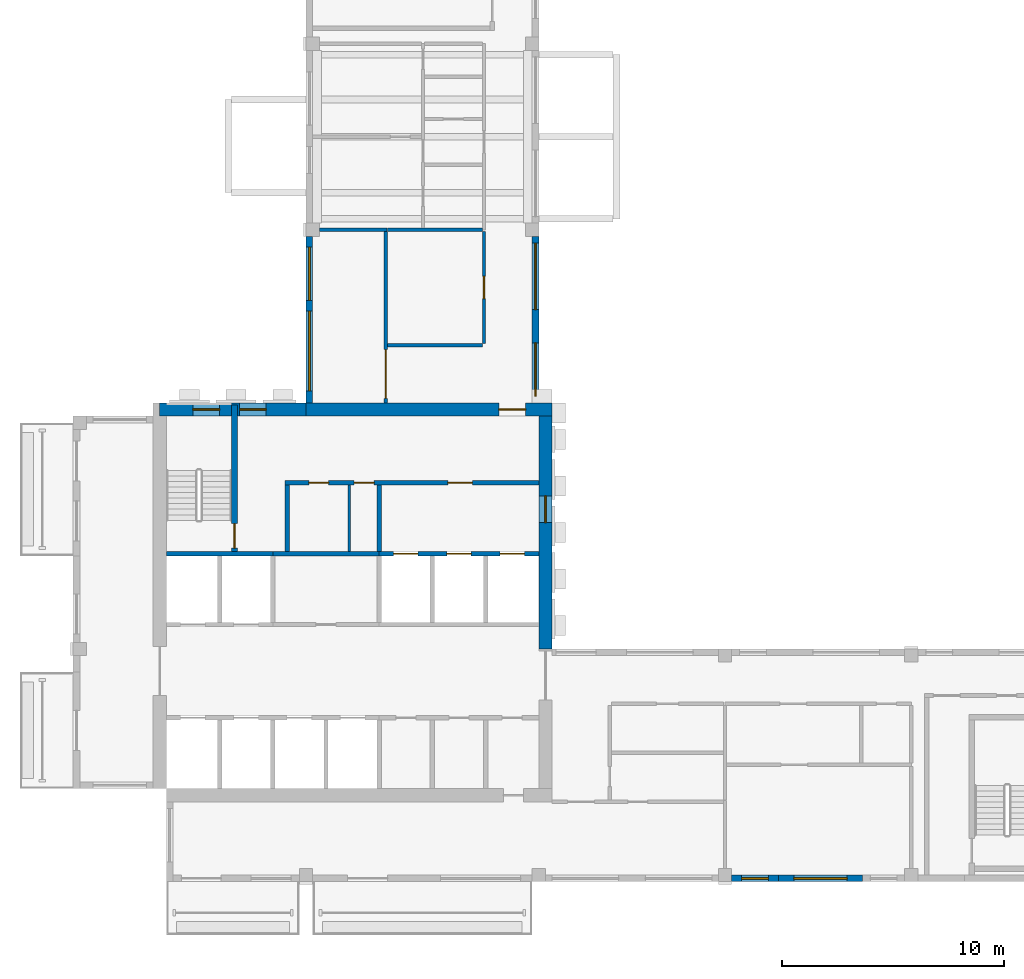
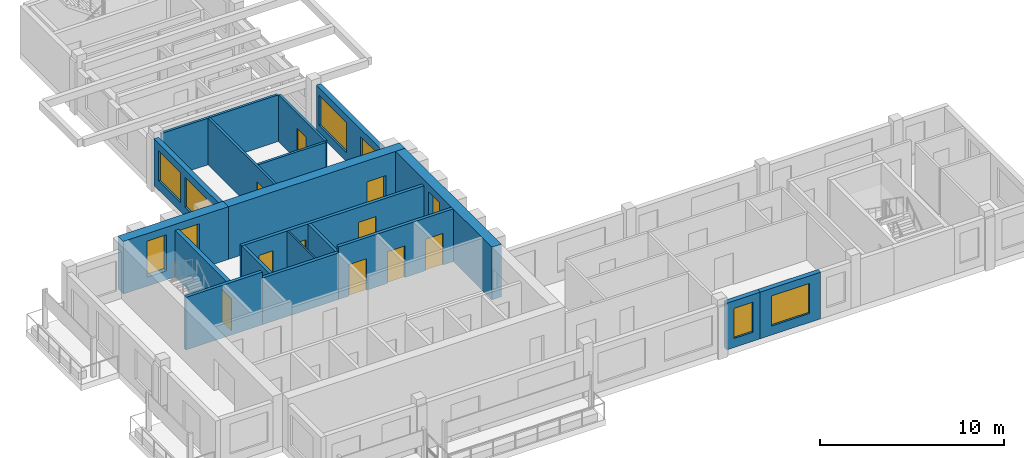
# One storey, part 3 of 10: 20 walls, 10 doors, 9 windows, 19 openings.
"""IFC4 building model written with IfcOpenShell, lengths in metres."""

from ifc_helpers import new_model, si_unit, direction, frame, frame_2d, origin, place, context, subcontext, project, spatial, rectangle, extrude, source, transform, mapped, material, layer, layer_set, type_object, element, fill, save


model = new_model("IFC4")

# Units and contexts
model_context = context("Model", 3, precision=1e-05, world=origin(), true_north=direction((0.0, 1.0)))
body_context = subcontext(model_context, "Body", "Model", "MODEL_VIEW")
ifc_project = project(units=[si_unit("LENGTHUNIT", "METRE"), si_unit("AREAUNIT", "SQUARE_METRE"), si_unit("VOLUMEUNIT", "CUBIC_METRE"), si_unit("PLANEANGLEUNIT", "RADIAN"), si_unit("MASSUNIT", "GRAM", prefix="KILO")], contexts=[model_context])

# Site, building, storey
site_placement = place(None, origin())
site = spatial("IfcSite", under=ifc_project, at=site_placement, CompositionType="ELEMENT")
building_placement = place(site_placement, origin())
building = spatial("IfcBuilding", under=site, at=building_placement, Name="Aurelian Terraces", CompositionType="ELEMENT")
storey_placement = place(building_placement, frame((0.0, 0.0, 326.5)))
storey = spatial("IfcBuildingStorey", under=building, at=storey_placement, Name="L76", CompositionType="ELEMENT", Elevation=326.5)

# Wall, opening, window
ifc_material_1 = material(Name="Terracotta rainscreen cladding", Category="masonry")
ifc_layer_1 = layer(ifc_material_1, 0.3)
ifc_layer_set_1 = layer_set([ifc_layer_1], Name="EW-300")
wall_type_1 = type_object("IfcWallType", Name="EW-300", PredefinedType="STANDARD", material=ifc_layer_set_1)
wall_1_placement = place(storey_placement, frame((29.7, 0.15, 0.0), z_axis=(0.0, 0.0, 1.0), x_axis=(1.0, 0.0, 0.0)))
wall_1 = element("IfcWall", 1, at=wall_1_placement, inside=storey, type_object=wall_type_1, Name="External wall L76 F01.4", PredefinedType="STANDARD", context=body_context, shape_type="SweptSolid", body=[
    extrude(rectangle(XDim=2.1, YDim=0.3, at=frame_2d((1.05, 0.0))), origin(), (0.0, 0.0, 1.0), 3.1),
])
shared_shape_1 = source(origin(), body_context, "Body", "SweptSolid", [
    extrude(rectangle(XDim=1.2, YDim=2.0, at=frame_2d((0.6, 1.0))), frame((0.0, 0.16, 0.0), z_axis=(0.0, -1.0, 0.0), x_axis=(1.0, 0.0, 0.0)), (0.0, 0.0, 1.0), 0.32),
])
opening_1_placement = place(wall_1_placement, frame((0.45, 0.0, 0.6)))
opening_1 = element("IfcOpeningElement", 2, at=opening_1_placement, cuts=wall_1, Name="Opening W1220", PredefinedType="OPENING", context=body_context, shape_type="MappedRepresentation", body=[
    mapped(shared_shape_1, transform((0.0, 0.0, 0.0), scale=1.0)),
])
ifc_material_2 = material(Name="Clear glazing", Category="glass")
window_type_1 = type_object("IfcWindowType", Name="W-1200x2000", PartitioningType="SINGLE_PANEL", PredefinedType="WINDOW", material=ifc_material_2)
shared_shape_2 = source(origin(), body_context, "Body", "SweptSolid", [
    extrude(rectangle(XDim=1.2, YDim=2.0, at=frame_2d((0.6, 1.0))), frame((0.0, 0.03, 0.0), z_axis=(0.0, -1.0, 0.0), x_axis=(1.0, 0.0, 0.0)), (0.0, 0.0, 1.0), 0.06),
])
window_1_placement = place(opening_1_placement, origin())
window_1 = element("IfcWindow", 3, at=window_1_placement, inside=storey, type_object=window_type_1, Name="Window L76 L76-F01-04-P0", OverallHeight=2.0, OverallWidth=1.2, PartitioningType="SINGLE_PANEL", PredefinedType="WINDOW", context=body_context, shape_type="MappedRepresentation", body=[
    mapped(shared_shape_2, transform((0.0, 0.0, 0.0), scale=1.0)),
])
fill(opening_1, window_1)

# Wall, opening, door
ifc_material_3 = material(Name="Concrete fc' 55 MPa", Category="concrete")
ifc_layer_2 = layer(ifc_material_3, 0.6)
ifc_layer_set_2 = layer_set([ifc_layer_2], Name="CORE WALL 600 FC55")
wall_type_2 = type_object("IfcWallType", Name="CORE WALL 600 FC55", PredefinedType="SHEAR", material=ifc_layer_set_2)
shared_shape_3 = source(origin(), body_context, "Body", "SweptSolid", [
    extrude(rectangle(XDim=11.1, YDim=0.6, at=frame_2d((5.55, 0.0))), origin(), (0.0, 0.0, 1.0), 3.5),
])
wall_2_placement = place(storey_placement, frame((10.5, 21.3, 0.0), z_axis=(0.0, 0.0, 1.0), x_axis=(1.0, 0.0, 0.0)))
wall_2 = element("IfcWall", 4, at=wall_2_placement, inside=storey, type_object=wall_type_2, Name="Core wall N L76", PredefinedType="SHEAR", context=body_context, shape_type="MappedRepresentation", body=[
    mapped(shared_shape_3, transform((0.0, 0.0, 0.0), scale=1.0)),
])
shared_shape_4 = source(origin(), body_context, "Body", "SweptSolid", [
    extrude(rectangle(XDim=1.2, YDim=2.1, at=frame_2d((0.6, 1.05))), frame((0.0, 0.31, 0.0), z_axis=(0.0, -1.0, 0.0), x_axis=(1.0, 0.0, 0.0)), (0.0, 0.0, 1.0), 0.62),
])
opening_2_placement = place(wall_2_placement, frame((8.7, 0.0, 0.0)))
opening_2 = element("IfcOpeningElement", 5, at=opening_2_placement, cuts=wall_2, Name="Opening 67925", PredefinedType="OPENING", context=body_context, shape_type="MappedRepresentation", body=[
    mapped(shared_shape_4, transform((0.0, 0.0, 0.0), scale=1.0)),
])
ifc_material_4 = material(Name="Steel door leaf", Category="steel")
door_type_1 = type_object("IfcDoorType", Name="Core fire door 1200x2100 right", OperationType="SINGLE_SWING_RIGHT", PredefinedType="DOOR", material=ifc_material_4)
shared_shape_5 = source(origin(), body_context, "Body", "SweptSolid", [
    extrude(rectangle(XDim=1.2, YDim=2.1, at=frame_2d((0.6, 1.05))), frame((0.0, 0.025, 0.0), z_axis=(0.0, -1.0, 0.0), x_axis=(1.0, 0.0, 0.0)), (0.0, 0.0, 1.0), 0.05),
])
door_1_placement = place(opening_2_placement, origin())
door_1 = element("IfcDoor", 6, at=door_1_placement, inside=storey, type_object=door_type_1, Name="Core door 67925", OperationType="SINGLE_SWING_RIGHT", OverallHeight=2.1, OverallWidth=1.2, PredefinedType="DOOR", context=body_context, shape_type="MappedRepresentation", body=[
    mapped(shared_shape_5, transform((0.0, 0.0, 0.0), scale=1.0)),
])
fill(opening_2, door_1)

# Wall, opening, window
shared_shape_6 = source(origin(), body_context, "Body", "SweptSolid", [
    extrude(rectangle(XDim=10.5, YDim=0.6, at=frame_2d((5.25, 0.0))), origin(), (0.0, 0.0, 1.0), 3.5),
])
wall_3_placement = place(storey_placement, frame((21.3, 10.5, 0.0), z_axis=(0.0, 0.0, 1.0), x_axis=(0.0, 1.0, 0.0)))
wall_3 = element("IfcWall", 7, at=wall_3_placement, inside=storey, type_object=wall_type_2, Name="Core wall E L76 exposed", PredefinedType="SHEAR", context=body_context, shape_type="MappedRepresentation", body=[
    mapped(shared_shape_6, transform((0.0, 0.0, 0.0), scale=1.0)),
])
shared_shape_7 = source(origin(), body_context, "Body", "SweptSolid", [
    extrude(rectangle(XDim=1.2, YDim=2.4, at=frame_2d((0.6, 1.2))), frame((0.0, 0.31, 0.0), z_axis=(0.0, -1.0, 0.0), x_axis=(1.0, 0.0, 0.0)), (0.0, 0.0, 1.0), 0.62),
])
opening_3_placement = place(wall_3_placement, frame((5.7, 0.0, 0.6)))
opening_3 = element("IfcOpeningElement", 8, at=opening_3_placement, cuts=wall_3, Name="Opening W-CL", PredefinedType="OPENING", context=body_context, shape_type="MappedRepresentation", body=[
    mapped(shared_shape_7, transform((0.0, 0.0, 0.0), scale=1.0)),
])
ifc_material_5 = material(Name="Fire-resisting glazing", Category="glass")
window_type_2 = type_object("IfcWindowType", Name="Core lobby window 1200x2400", PartitioningType="SINGLE_PANEL", PredefinedType="WINDOW", material=ifc_material_5)
shared_shape_8 = source(origin(), body_context, "Body", "SweptSolid", [
    extrude(rectangle(XDim=1.2, YDim=2.4, at=frame_2d((0.6, 1.2))), frame((0.0, 0.03, 0.0), z_axis=(0.0, -1.0, 0.0), x_axis=(1.0, 0.0, 0.0)), (0.0, 0.0, 1.0), 0.06),
])
window_2_placement = place(opening_3_placement, origin())
window_2 = element("IfcWindow", 9, at=window_2_placement, inside=storey, type_object=window_type_2, Name="Lobby window L76 E37", OverallHeight=2.4, OverallWidth=1.2, PartitioningType="SINGLE_PANEL", PredefinedType="WINDOW", context=body_context, shape_type="MappedRepresentation", body=[
    mapped(shared_shape_8, transform((0.0, 0.0, 0.0), scale=1.0)),
])
fill(opening_3, window_2)

# Wall, openings, windows
shared_shape_9 = source(origin(), body_context, "Body", "SweptSolid", [
    extrude(rectangle(XDim=6.6, YDim=0.6, at=frame_2d((3.3, 0.0))), origin(), (0.0, 0.0, 1.0), 3.5),
])
wall_4_placement = place(storey_placement, frame((3.9, 21.3, 0.0), z_axis=(0.0, 0.0, 1.0), x_axis=(1.0, 0.0, 0.0)))
wall_4 = element("IfcWall", 10, at=wall_4_placement, inside=storey, type_object=wall_type_2, Name="Core wall N L76 exposed", PredefinedType="SHEAR", context=body_context, shape_type="MappedRepresentation", body=[
    mapped(shared_shape_9, transform((0.0, 0.0, 0.0), scale=1.0)),
])
opening_4_placement = place(wall_4_placement, frame((1.5, 0.0, 0.6)))
opening_4 = element("IfcOpeningElement", 11, at=opening_4_placement, cuts=wall_4, Name="Opening W-CL", PredefinedType="OPENING", context=body_context, shape_type="MappedRepresentation", body=[
    mapped(shared_shape_7, transform((0.0, 0.0, 0.0), scale=1.0)),
])
opening_5_placement = place(wall_4_placement, frame((3.6, 0.0, 0.6)))
opening_5 = element("IfcOpeningElement", 12, at=opening_5_placement, cuts=wall_4, Name="Opening W-CL", PredefinedType="OPENING", context=body_context, shape_type="MappedRepresentation", body=[
    mapped(shared_shape_7, transform((0.0, 0.0, 0.0), scale=1.0)),
])
window_3_placement = place(opening_4_placement, origin())
window_3 = element("IfcWindow", 13, at=window_3_placement, inside=storey, type_object=window_type_2, Name="Lobby window L76 N38", OverallHeight=2.4, OverallWidth=1.2, PartitioningType="SINGLE_PANEL", PredefinedType="WINDOW", context=body_context, shape_type="MappedRepresentation", body=[
    mapped(shared_shape_8, transform((0.0, 0.0, 0.0), scale=1.0)),
])
fill(opening_4, window_3)
window_4_placement = place(opening_5_placement, origin())
window_4 = element("IfcWindow", 14, at=window_4_placement, inside=storey, type_object=window_type_2, Name="Lobby window L76 N39", OverallHeight=2.4, OverallWidth=1.2, PartitioningType="SINGLE_PANEL", PredefinedType="WINDOW", context=body_context, shape_type="MappedRepresentation", body=[
    mapped(shared_shape_8, transform((0.0, 0.0, 0.0), scale=1.0)),
])
fill(opening_5, window_4)

# Wall, opening, window
ifc_material_6 = material(Name="Concrete fc' 40 MPa", Category="concrete")
ifc_layer_3 = layer(ifc_material_6, 0.3)
ifc_layer_set_3 = layer_set([ifc_layer_3], Name="STAIR BAY WALL 300")
wall_type_3 = type_object("IfcWallType", Name="STAIR BAY WALL 300", PredefinedType="SOLIDWALL", material=ifc_layer_set_3)
shared_shape_10 = source(origin(), body_context, "Body", "SweptSolid", [
    extrude(rectangle(XDim=3.8, YDim=0.3, at=frame_2d((1.9, 0.0))), origin(), (0.0, 0.0, 1.0), 3.1),
])
wall_5_placement = place(storey_placement, frame((31.8, 0.15, 0.0), z_axis=(0.0, 0.0, 1.0), x_axis=(1.0, 0.0, 0.0)))
wall_5 = element("IfcWall", 15, at=wall_5_placement, inside=storey, type_object=wall_type_3, Name="Bearing wall L76 F01.4", PredefinedType="SOLIDWALL", context=body_context, shape_type="MappedRepresentation", body=[
    mapped(shared_shape_10, transform((0.0, 0.0, 0.0), scale=1.0)),
])
shared_shape_11 = source(origin(), body_context, "Body", "SweptSolid", [
    extrude(rectangle(XDim=2.4, YDim=2.0, at=frame_2d((1.2, 1.0))), frame((0.0, 0.16, 0.0), z_axis=(0.0, -1.0, 0.0), x_axis=(1.0, 0.0, 0.0)), (0.0, 0.0, 1.0), 0.32),
])
opening_6_placement = place(wall_5_placement, frame((0.7, 0.0, 0.6)))
opening_6 = element("IfcOpeningElement", 16, at=opening_6_placement, cuts=wall_5, Name="Opening W2420", PredefinedType="OPENING", context=body_context, shape_type="MappedRepresentation", body=[
    mapped(shared_shape_11, transform((0.0, 0.0, 0.0), scale=1.0)),
])
window_type_3 = type_object("IfcWindowType", Name="W-2400x2000", PartitioningType="SINGLE_PANEL", PredefinedType="WINDOW", material=ifc_material_2)
shared_shape_12 = source(origin(), body_context, "Body", "SweptSolid", [
    extrude(rectangle(XDim=2.4, YDim=2.0, at=frame_2d((1.2, 1.0))), frame((0.0, 0.03, 0.0), z_axis=(0.0, -1.0, 0.0), x_axis=(1.0, 0.0, 0.0)), (0.0, 0.0, 1.0), 0.06),
])
window_5_placement = place(opening_6_placement, origin())
window_5 = element("IfcWindow", 17, at=window_5_placement, inside=storey, type_object=window_type_3, Name="Window L76 L76-F01-04-P1", OverallHeight=2.0, OverallWidth=2.4, PartitioningType="SINGLE_PANEL", PredefinedType="WINDOW", context=body_context, shape_type="MappedRepresentation", body=[
    mapped(shared_shape_12, transform((0.0, 0.0, 0.0), scale=1.0)),
])
fill(opening_6, window_5)

# Wall, openings, windows
shared_shape_13 = source(origin(), body_context, "Body", "SweptSolid", [
    extrude(rectangle(XDim=7.5, YDim=0.3, at=frame_2d((3.75, 0.0))), origin(), (0.0, 0.0, 1.0), 3.1),
])
wall_6_placement = place(storey_placement, frame((20.85, 21.6, 0.0), z_axis=(0.0, 0.0, 1.0), x_axis=(0.0, 1.0, 0.0)))
wall_6 = element("IfcWall", 18, at=wall_6_placement, inside=storey, type_object=wall_type_1, Name="External wall L76 F04.10", PredefinedType="STANDARD", context=body_context, shape_type="MappedRepresentation", body=[
    mapped(shared_shape_13, transform((0.0, 0.0, 0.0), scale=1.0)),
])
opening_7_placement = place(wall_6_placement, frame((0.3, 0.0, 0.6)))
opening_7 = element("IfcOpeningElement", 19, at=opening_7_placement, cuts=wall_6, Name="Opening W2420", PredefinedType="OPENING", context=body_context, shape_type="MappedRepresentation", body=[
    mapped(shared_shape_11, transform((0.0, 0.0, 0.0), scale=1.0)),
])
shared_shape_14 = source(origin(), body_context, "Body", "SweptSolid", [
    extrude(rectangle(XDim=3.0, YDim=2.0, at=frame_2d((1.5, 1.0))), frame((0.0, 0.16, 0.0), z_axis=(0.0, -1.0, 0.0), x_axis=(1.0, 0.0, 0.0)), (0.0, 0.0, 1.0), 0.32),
])
opening_8_placement = place(wall_6_placement, frame((4.2, 0.0, 0.6)))
opening_8 = element("IfcOpeningElement", 20, at=opening_8_placement, cuts=wall_6, Name="Opening W3020", PredefinedType="OPENING", context=body_context, shape_type="MappedRepresentation", body=[
    mapped(shared_shape_14, transform((0.0, 0.0, 0.0), scale=1.0)),
])
window_type_4 = type_object("IfcWindowType", Name="W-3000x2000", PartitioningType="SINGLE_PANEL", PredefinedType="WINDOW", material=ifc_material_2)
shared_shape_15 = source(origin(), body_context, "Body", "SweptSolid", [
    extrude(rectangle(XDim=3.0, YDim=2.0, at=frame_2d((1.5, 1.0))), frame((0.0, 0.03, 0.0), z_axis=(0.0, -1.0, 0.0), x_axis=(1.0, 0.0, 0.0)), (0.0, 0.0, 1.0), 0.06),
])
window_6_placement = place(opening_8_placement, origin())
window_6 = element("IfcWindow", 21, at=window_6_placement, inside=storey, type_object=window_type_4, Name="Window L76 L76-F04-10-1", OverallHeight=2.0, OverallWidth=3.0, PartitioningType="SINGLE_PANEL", PredefinedType="WINDOW", context=body_context, shape_type="MappedRepresentation", body=[
    mapped(shared_shape_15, transform((0.0, 0.0, 0.0), scale=1.0)),
])
fill(opening_8, window_6)
window_7_placement = place(opening_7_placement, origin())
window_7 = element("IfcWindow", 22, at=window_7_placement, inside=storey, type_object=window_type_3, Name="Window L76 L76-F04-10-0", OverallHeight=2.0, OverallWidth=2.4, PartitioningType="SINGLE_PANEL", PredefinedType="WINDOW", context=body_context, shape_type="MappedRepresentation", body=[
    mapped(shared_shape_12, transform((0.0, 0.0, 0.0), scale=1.0)),
])
fill(opening_7, window_7)

wall_7_placement = place(storey_placement, frame((10.65, 29.1, 0.0), z_axis=(0.0, 0.0, 1.0), x_axis=(0.0, -1.0, 0.0)))
wall_7 = element("IfcWall", 23, at=wall_7_placement, inside=storey, type_object=wall_type_1, Name="External wall L76 F06.14", PredefinedType="STANDARD", context=body_context, shape_type="MappedRepresentation", body=[
    mapped(shared_shape_13, transform((0.0, 0.0, 0.0), scale=1.0)),
])
shared_shape_16 = source(origin(), body_context, "Body", "SweptSolid", [
    extrude(rectangle(XDim=3.6, YDim=2.0, at=frame_2d((1.8, 1.0))), frame((0.0, 0.16, 0.0), z_axis=(0.0, -1.0, 0.0), x_axis=(1.0, 0.0, 0.0)), (0.0, 0.0, 1.0), 0.32),
])
opening_9_placement = place(wall_7_placement, frame((3.36, 0.0, 0.6)))
opening_9 = element("IfcOpeningElement", 24, at=opening_9_placement, cuts=wall_7, Name="Opening W3620", PredefinedType="OPENING", context=body_context, shape_type="MappedRepresentation", body=[
    mapped(shared_shape_16, transform((0.0, 0.0, 0.0), scale=1.0)),
])
opening_10_placement = place(wall_7_placement, frame((0.48, 0.0, 0.6)))
opening_10 = element("IfcOpeningElement", 25, at=opening_10_placement, cuts=wall_7, Name="Opening W2420", PredefinedType="OPENING", context=body_context, shape_type="MappedRepresentation", body=[
    mapped(shared_shape_11, transform((0.0, 0.0, 0.0), scale=1.0)),
])
window_8_placement = place(opening_10_placement, origin())
window_8 = element("IfcWindow", 26, at=window_8_placement, inside=storey, type_object=window_type_3, Name="Window L76 L76-F06-14-G2-146", OverallHeight=2.0, OverallWidth=2.4, PartitioningType="SINGLE_PANEL", PredefinedType="WINDOW", context=body_context, shape_type="MappedRepresentation", body=[
    mapped(shared_shape_12, transform((0.0, 0.0, 0.0), scale=1.0)),
])
fill(opening_10, window_8)
window_type_5 = type_object("IfcWindowType", Name="W-3600x2000", PartitioningType="SINGLE_PANEL", PredefinedType="WINDOW", material=ifc_material_2)
shared_shape_17 = source(origin(), body_context, "Body", "SweptSolid", [
    extrude(rectangle(XDim=3.6, YDim=2.0, at=frame_2d((1.8, 1.0))), frame((0.0, 0.03, 0.0), z_axis=(0.0, -1.0, 0.0), x_axis=(1.0, 0.0, 0.0)), (0.0, 0.0, 1.0), 0.06),
])
window_9_placement = place(opening_9_placement, origin())
window_9 = element("IfcWindow", 27, at=window_9_placement, inside=storey, type_object=window_type_5, Name="Window L76 L76-F06-14-4", OverallHeight=2.0, OverallWidth=3.6, PartitioningType="SINGLE_PANEL", PredefinedType="WINDOW", context=body_context, shape_type="MappedRepresentation", body=[
    mapped(shared_shape_17, transform((0.0, 0.0, 0.0), scale=1.0)),
])
fill(opening_9, window_9)

# Walls
ifc_layer_4 = layer(ifc_material_6, 0.2)
ifc_layer_set_4 = layer_set([ifc_layer_4], Name="Lift shaft wall 200")
wall_type_4 = type_object("IfcWallType", Name="Lift shaft wall 200", PredefinedType="SOLIDWALL", material=ifc_layer_set_4)
shared_shape_18 = source(origin(), body_context, "Body", "SweptSolid", [
    extrude(rectangle(XDim=4.8, YDim=0.2, at=frame_2d((2.4, 0.0))), origin(), (0.0, 0.0, 1.0), 3.5),
])
wall_8_placement = place(storey_placement, frame((4.2, 14.8, 0.0), z_axis=(0.0, 0.0, 1.0), x_axis=(1.0, 0.0, 0.0)))
element("IfcWall", 28, at=wall_8_placement, inside=storey, type_object=wall_type_4, Name="L76 core wall CF-BB1", PredefinedType="SOLIDWALL", context=body_context, shape_type="MappedRepresentation", body=[
    mapped(shared_shape_18, transform((0.0, 0.0, 0.0), scale=1.0)),
])
shared_shape_19 = source(origin(), body_context, "Body", "SweptSolid", [
    extrude(rectangle(XDim=4.8, YDim=0.2, at=frame_2d((2.4, 0.0))), origin(), (0.0, 0.0, 1.0), 3.1),
])
wall_9_placement = place(storey_placement, frame((9.0, 14.8, 0.0), z_axis=(0.0, 0.0, 1.0), x_axis=(1.0, 0.0, 0.0)))
element("IfcWall", 29, at=wall_9_placement, inside=storey, type_object=wall_type_4, Name="L76 core wall CF-BB2", PredefinedType="SOLIDWALL", context=body_context, shape_type="MappedRepresentation", body=[
    mapped(shared_shape_19, transform((0.0, 0.0, 0.0), scale=1.0)),
])

# Wall, openings, doors
shared_shape_20 = source(origin(), body_context, "Body", "SweptSolid", [
    extrude(rectangle(XDim=7.2, YDim=0.2, at=frame_2d((3.6, 0.0))), origin(), (0.0, 0.0, 1.0), 3.5),
])
wall_10_placement = place(storey_placement, frame((13.8, 14.8, 0.0), z_axis=(0.0, 0.0, 1.0), x_axis=(1.0, 0.0, 0.0)))
wall_10 = element("IfcWall", 30, at=wall_10_placement, inside=storey, type_object=wall_type_4, Name="L76 core wall CF-BB3", PredefinedType="SOLIDWALL", context=body_context, shape_type="MappedRepresentation", body=[
    mapped(shared_shape_20, transform((0.0, 0.0, 0.0), scale=1.0)),
])
shared_shape_21 = source(origin(), body_context, "Body", "SweptSolid", [
    extrude(rectangle(XDim=1.1, YDim=2.1, at=frame_2d((0.55, 1.05))), frame((0.0, 0.11, 0.0), z_axis=(0.0, -1.0, 0.0), x_axis=(1.0, 0.0, 0.0)), (0.0, 0.0, 1.0), 0.22),
])
opening_11_placement = place(wall_10_placement, frame((0.65, 0.0, 0.0)))
opening_11 = element("IfcOpeningElement", 31, at=opening_11_placement, cuts=wall_10, Name="Opening 67910", PredefinedType="OPENING", context=body_context, shape_type="MappedRepresentation", body=[
    mapped(shared_shape_21, transform((0.0, 0.0, 0.0), scale=1.0)),
])
opening_12_placement = place(wall_10_placement, frame((3.05, 0.0, 0.0)))
opening_12 = element("IfcOpeningElement", 32, at=opening_12_placement, cuts=wall_10, Name="Opening 67911", PredefinedType="OPENING", context=body_context, shape_type="MappedRepresentation", body=[
    mapped(shared_shape_21, transform((0.0, 0.0, 0.0), scale=1.0)),
])
opening_13_placement = place(wall_10_placement, frame((5.45, 0.0, 0.0)))
opening_13 = element("IfcOpeningElement", 33, at=opening_13_placement, cuts=wall_10, Name="Opening 67912", PredefinedType="OPENING", context=body_context, shape_type="MappedRepresentation", body=[
    mapped(shared_shape_21, transform((0.0, 0.0, 0.0), scale=1.0)),
])
ifc_material_7 = material(Name="Stainless steel", Category="steel")
door_type_2 = type_object("IfcDoorType", Name="Lift landing door 1100x2100", OperationType="SLIDING_TO_LEFT", PredefinedType="DOOR", material=ifc_material_7)
shared_shape_22 = source(origin(), body_context, "Body", "SweptSolid", [
    extrude(rectangle(XDim=1.1, YDim=2.1, at=frame_2d((0.55, 1.05))), frame((0.0, 0.025, 0.0), z_axis=(0.0, -1.0, 0.0), x_axis=(1.0, 0.0, 0.0)), (0.0, 0.0, 1.0), 0.05),
])
door_2_placement = place(opening_11_placement, origin())
door_2 = element("IfcDoor", 34, at=door_2_placement, inside=storey, type_object=door_type_2, Name="Lift landing door F1 L76", OperationType="SLIDING_TO_LEFT", OverallHeight=2.1, OverallWidth=1.1, PredefinedType="DOOR", context=body_context, shape_type="MappedRepresentation", body=[
    mapped(shared_shape_22, transform((0.0, 0.0, 0.0), scale=1.0)),
])
fill(opening_11, door_2)
door_3_placement = place(opening_12_placement, origin())
door_3 = element("IfcDoor", 35, at=door_3_placement, inside=storey, type_object=door_type_2, Name="Lift landing door F2 L76", OperationType="SLIDING_TO_LEFT", OverallHeight=2.1, OverallWidth=1.1, PredefinedType="DOOR", context=body_context, shape_type="MappedRepresentation", body=[
    mapped(shared_shape_22, transform((0.0, 0.0, 0.0), scale=1.0)),
])
fill(opening_12, door_3)
door_4_placement = place(opening_13_placement, origin())
door_4 = element("IfcDoor", 36, at=door_4_placement, inside=storey, type_object=door_type_2, Name="Lift landing door F3 L76", OperationType="SLIDING_TO_LEFT", OverallHeight=2.1, OverallWidth=1.1, PredefinedType="DOOR", context=body_context, shape_type="MappedRepresentation", body=[
    mapped(shared_shape_22, transform((0.0, 0.0, 0.0), scale=1.0)),
])
fill(opening_13, door_4)

# Walls
ifc_material_8 = material(Name="Gypsum board on steel studs", Category="steel")
ifc_layer_5 = layer(ifc_material_8, 0.2)
ifc_layer_set_5 = layer_set([ifc_layer_5], Name="Core partition 200")
wall_type_5 = type_object("IfcWallType", Name="Core partition 200", PredefinedType="PARTITIONING", material=ifc_layer_set_5)
shared_shape_23 = source(origin(), body_context, "Body", "SweptSolid", [
    extrude(rectangle(XDim=3.0, YDim=0.2, at=frame_2d((1.5, 0.0))), origin(), (0.0, 0.0, 1.0), 3.1),
])
for number, where, z_axis, x_axis, name in (
    (37, (9.65, 14.9, 0.0), (0.0, 0.0, 1.0), (0.0, 1.0, 0.0), "L76 core wall CP-VEST"),
    (38, (13.8, 14.9, 0.0), (0.0, 0.0, 1.0), (0.0, 1.0, 0.0), "L76 core wall CP-FFL"),
):
    element("IfcWall", number, at=place(storey_placement, frame(where, z_axis=z_axis, x_axis=x_axis)), inside=storey, type_object=wall_type_5, Name=name, PredefinedType="PARTITIONING", context=body_context, shape_type="MappedRepresentation", body=[
        mapped(shared_shape_23, transform((0.0, 0.0, 0.0), scale=1.0)),
    ])

# Wall, opening, door
ifc_layer_6 = layer(ifc_material_6, 0.25)
ifc_layer_set_6 = layer_set([ifc_layer_6], Name="Stair enclosure wall 250")
wall_type_6 = type_object("IfcWallType", Name="Stair enclosure wall 250", PredefinedType="SOLIDWALL", material=ifc_layer_set_6)
shared_shape_24 = source(origin(), body_context, "Body", "SweptSolid", [
    extrude(rectangle(XDim=6.6, YDim=0.25, at=frame_2d((3.3, 0.0))), origin(), (0.0, 0.0, 1.0), 3.1),
])
wall_11_placement = place(storey_placement, frame((7.275, 14.9, 0.0), z_axis=(0.0, 0.0, 1.0), x_axis=(0.0, 1.0, 0.0)))
wall_11 = element("IfcWall", 39, at=wall_11_placement, inside=storey, type_object=wall_type_6, Name="L76 core wall ST-S1-E", PredefinedType="SOLIDWALL", context=body_context, shape_type="MappedRepresentation", body=[
    mapped(shared_shape_24, transform((0.0, 0.0, 0.0), scale=1.0)),
])
shared_shape_25 = source(origin(), body_context, "Body", "SweptSolid", [
    extrude(rectangle(XDim=1.1, YDim=2.1, at=frame_2d((0.55, 1.05))), frame((0.0, 0.135, 0.0), z_axis=(0.0, -1.0, 0.0), x_axis=(1.0, 0.0, 0.0)), (0.0, 0.0, 1.0), 0.27),
])
opening_14_placement = place(wall_11_placement, frame((0.15, 0.0, 0.0)))
opening_14 = element("IfcOpeningElement", 40, at=opening_14_placement, cuts=wall_11, Name="Opening 67913", PredefinedType="OPENING", context=body_context, shape_type="MappedRepresentation", body=[
    mapped(shared_shape_25, transform((0.0, 0.0, 0.0), scale=1.0)),
])
door_type_3 = type_object("IfcDoorType", Name="Core fire door 1100x2100", OperationType="SINGLE_SWING_LEFT", PredefinedType="DOOR", material=ifc_material_4)
door_5_placement = place(opening_14_placement, origin())
door_5 = element("IfcDoor", 41, at=door_5_placement, inside=storey, type_object=door_type_3, Name="Stair door 67913", OperationType="SINGLE_SWING_LEFT", OverallHeight=2.1, OverallWidth=1.1, PredefinedType="DOOR", context=body_context, shape_type="MappedRepresentation", body=[
    mapped(shared_shape_22, transform((0.0, 0.0, 0.0), scale=1.0)),
])
fill(opening_14, door_5)

# Wall, openings, doors
shared_shape_26 = source(origin(), body_context, "Body", "SweptSolid", [
    extrude(rectangle(XDim=11.45, YDim=0.2, at=frame_2d((5.725, 0.0))), origin(), (0.0, 0.0, 1.0), 3.1),
])
wall_12_placement = place(storey_placement, frame((9.55, 18.0, 0.0), z_axis=(0.0, 0.0, 1.0), x_axis=(1.0, 0.0, 0.0)))
wall_12 = element("IfcWall", 42, at=wall_12_placement, inside=storey, type_object=wall_type_5, Name="L76 core wall CP-NORTH", PredefinedType="PARTITIONING", context=body_context, shape_type="MappedRepresentation", body=[
    mapped(shared_shape_26, transform((0.0, 0.0, 0.0), scale=1.0)),
])
shared_shape_27 = source(origin(), body_context, "Body", "SweptSolid", [
    extrude(rectangle(XDim=0.9, YDim=2.1, at=frame_2d((0.45, 1.05))), frame((0.0, 0.11, 0.0), z_axis=(0.0, -1.0, 0.0), x_axis=(1.0, 0.0, 0.0)), (0.0, 0.0, 1.0), 0.22),
])
opening_15_placement = place(wall_12_placement, frame((1.075, 0.0, 0.0)))
opening_15 = element("IfcOpeningElement", 43, at=opening_15_placement, cuts=wall_12, Name="Opening 67914", PredefinedType="OPENING", context=body_context, shape_type="MappedRepresentation", body=[
    mapped(shared_shape_27, transform((0.0, 0.0, 0.0), scale=1.0)),
])
opening_16_placement = place(wall_12_placement, frame((3.125, 0.0, 0.0)))
opening_16 = element("IfcOpeningElement", 44, at=opening_16_placement, cuts=wall_12, Name="Opening 67915", PredefinedType="OPENING", context=body_context, shape_type="MappedRepresentation", body=[
    mapped(shared_shape_27, transform((0.0, 0.0, 0.0), scale=1.0)),
])
opening_17_placement = place(wall_12_placement, frame((7.35, 0.0, 0.0)))
opening_17 = element("IfcOpeningElement", 45, at=opening_17_placement, cuts=wall_12, Name="Opening 67916", PredefinedType="OPENING", context=body_context, shape_type="MappedRepresentation", body=[
    mapped(shared_shape_21, transform((0.0, 0.0, 0.0), scale=1.0)),
])
door_type_4 = type_object("IfcDoorType", Name="Core service door 900x2100 right", OperationType="SINGLE_SWING_RIGHT", PredefinedType="DOOR", material=ifc_material_4)
shared_shape_28 = source(origin(), body_context, "Body", "SweptSolid", [
    extrude(rectangle(XDim=0.9, YDim=2.1, at=frame_2d((0.45, 1.05))), frame((0.0, 0.025, 0.0), z_axis=(0.0, -1.0, 0.0), x_axis=(1.0, 0.0, 0.0)), (0.0, 0.0, 1.0), 0.05),
])
door_6_placement = place(opening_15_placement, origin())
door_6 = element("IfcDoor", 46, at=door_6_placement, inside=storey, type_object=door_type_4, Name="Room door 67914", OperationType="SINGLE_SWING_RIGHT", OverallHeight=2.1, OverallWidth=0.9, PredefinedType="DOOR", context=body_context, shape_type="MappedRepresentation", body=[
    mapped(shared_shape_28, transform((0.0, 0.0, 0.0), scale=1.0)),
])
fill(opening_15, door_6)
door_type_5 = type_object("IfcDoorType", Name="Core riser door 900x2100", OperationType="SINGLE_SWING_LEFT", PredefinedType="DOOR", material=ifc_material_4)
door_7_placement = place(opening_16_placement, origin())
door_7 = element("IfcDoor", 47, at=door_7_placement, inside=storey, type_object=door_type_5, Name="Room door 67915", OperationType="SINGLE_SWING_LEFT", OverallHeight=2.1, OverallWidth=0.9, PredefinedType="DOOR", context=body_context, shape_type="MappedRepresentation", body=[
    mapped(shared_shape_28, transform((0.0, 0.0, 0.0), scale=1.0)),
])
fill(opening_16, door_7)
door_type_6 = type_object("IfcDoorType", Name="Core fire door 1100x2100 right", OperationType="SINGLE_SWING_RIGHT", PredefinedType="DOOR", material=ifc_material_4)
door_8_placement = place(opening_17_placement, origin())
door_8 = element("IfcDoor", 48, at=door_8_placement, inside=storey, type_object=door_type_6, Name="Ff lobby door 67916", OperationType="SINGLE_SWING_RIGHT", OverallHeight=2.1, OverallWidth=1.1, PredefinedType="DOOR", context=body_context, shape_type="MappedRepresentation", body=[
    mapped(shared_shape_22, transform((0.0, 0.0, 0.0), scale=1.0)),
])
fill(opening_17, door_8)

# Wall
ifc_layer_7 = layer(ifc_material_8, 0.1)
ifc_layer_set_7 = layer_set([ifc_layer_7], Name="Core partition 100")
wall_type_7 = type_object("IfcWallType", Name="Core partition 100", PredefinedType="PARTITIONING", material=ifc_layer_set_7)
shared_shape_29 = source(origin(), body_context, "Body", "SweptSolid", [
    extrude(rectangle(XDim=3.0, YDim=0.1, at=frame_2d((1.5, 0.0))), origin(), (0.0, 0.0, 1.0), 3.1),
])
wall_13_placement = place(storey_placement, frame((12.45, 14.9, 0.0), z_axis=(0.0, 0.0, 1.0), x_axis=(0.0, 1.0, 0.0)))
element("IfcWall", 49, at=wall_13_placement, inside=storey, type_object=wall_type_7, Name="L76 core wall CP-SV1", PredefinedType="PARTITIONING", context=body_context, shape_type="MappedRepresentation", body=[
    mapped(shared_shape_29, transform((0.0, 0.0, 0.0), scale=1.0)),
])

# Wall, opening, door
ifc_layer_8 = layer(ifc_material_8, 0.15)
ifc_layer_set_8 = layer_set([ifc_layer_8], Name="Partition 150")
wall_type_8 = type_object("IfcWallType", Name="Partition 150", PredefinedType="PARTITIONING", material=ifc_layer_set_8)
shared_shape_30 = source(origin(), body_context, "Body", "SweptSolid", [
    extrude(rectangle(XDim=7.725, YDim=0.15, at=frame_2d((3.8625, 0.0))), origin(), (0.0, 0.0, 1.0), 3.1),
])
wall_14_placement = place(storey_placement, frame((14.1, 29.325, 0.0), z_axis=(0.0, 0.0, 1.0), x_axis=(0.0, -1.0, 0.0)))
wall_14 = element("IfcWall", 50, at=wall_14_placement, inside=storey, type_object=wall_type_8, Name="Partition", PredefinedType="PARTITIONING", context=body_context, shape_type="MappedRepresentation", body=[
    mapped(shared_shape_30, transform((0.0, 0.0, 0.0), scale=1.0)),
])
shared_shape_31 = source(origin(), body_context, "Body", "SweptSolid", [
    extrude(rectangle(XDim=2.2, YDim=2.1, at=frame_2d((1.1, 1.05))), frame((0.0, 0.085, 0.0), z_axis=(0.0, -1.0, 0.0), x_axis=(1.0, 0.0, 0.0)), (0.0, 0.0, 1.0), 0.17),
])
opening_18_placement = place(wall_14_placement, frame((5.325, 0.0, 0.0)))
opening_18 = element("IfcOpeningElement", 51, at=opening_18_placement, cuts=wall_14, Name="Opening 776010", PredefinedType="OPENING", context=body_context, shape_type="MappedRepresentation", body=[
    mapped(shared_shape_31, transform((0.0, 0.0, 0.0), scale=1.0)),
])
ifc_material_9 = material(Name="Timber door leaf", Category="wood")
door_type_7 = type_object("IfcDoorType", Name="Double room door 2200x2100", OperationType="DOUBLE_DOOR_SINGLE_SWING", PredefinedType="DOOR", material=ifc_material_9)
shared_shape_32 = source(origin(), body_context, "Body", "SweptSolid", [
    extrude(rectangle(XDim=2.2, YDim=2.1, at=frame_2d((1.1, 1.05))), frame((0.0, 0.025, 0.0), z_axis=(0.0, -1.0, 0.0), x_axis=(1.0, 0.0, 0.0)), (0.0, 0.0, 1.0), 0.05),
])
door_9_placement = place(opening_18_placement, origin())
door_9 = element("IfcDoor", 52, at=door_9_placement, inside=storey, type_object=door_type_7, Name="Door 776010", OperationType="DOUBLE_DOOR_SINGLE_SWING", OverallHeight=2.1, OverallWidth=2.2, PredefinedType="DOOR", context=body_context, shape_type="MappedRepresentation", body=[
    mapped(shared_shape_32, transform((0.0, 0.0, 0.0), scale=1.0)),
])
fill(opening_18, door_9)

# Walls
shared_shape_33 = source(origin(), body_context, "Body", "SweptSolid", [
    extrude(rectangle(XDim=4.275, YDim=0.15, at=frame_2d((2.1375, 0.0))), origin(), (0.0, 0.0, 1.0), 3.1),
])
for number, where, z_axis, x_axis, name in (
    (53, (14.175, 24.2, 0.0), (0.0, 0.0, 1.0), (1.0, 0.0, 0.0), "Partition"),
    (54, (18.45, 29.4, 0.0), (0.0, 0.0, 1.0), (-1.0, 0.0, 0.0), "Partition"),
):
    element("IfcWall", number, at=place(storey_placement, frame(where, z_axis=z_axis, x_axis=x_axis)), inside=storey, type_object=wall_type_8, Name=name, PredefinedType="PARTITIONING", context=body_context, shape_type="MappedRepresentation", body=[
        mapped(shared_shape_33, transform((0.0, 0.0, 0.0), scale=1.0)),
    ])

# Wall, opening, door
ifc_layer_9 = layer(ifc_material_8, 0.15)
ifc_layer_set_9 = layer_set([ifc_layer_9], Name="Fire partition 150")
wall_type_9 = type_object("IfcWallType", Name="Fire partition 150", PredefinedType="PARTITIONING", material=ifc_layer_set_9)
shared_shape_34 = source(origin(), body_context, "Body", "SweptSolid", [
    extrude(rectangle(XDim=5.05, YDim=0.15, at=frame_2d((2.525, 0.0))), origin(), (0.0, 0.0, 1.0), 3.1),
])
wall_15_placement = place(storey_placement, frame((18.525, 24.275, 0.0), z_axis=(0.0, 0.0, 1.0), x_axis=(0.0, 1.0, 0.0)))
wall_15 = element("IfcWall", 55, at=wall_15_placement, inside=storey, type_object=wall_type_9, Name="Corridor wall", PredefinedType="PARTITIONING", context=body_context, shape_type="MappedRepresentation", body=[
    mapped(shared_shape_34, transform((0.0, 0.0, 0.0), scale=1.0)),
])
shared_shape_35 = source(origin(), body_context, "Body", "SweptSolid", [
    extrude(rectangle(XDim=1.0, YDim=2.1, at=frame_2d((0.5, 1.05))), frame((0.0, 0.085, 0.0), z_axis=(0.0, -1.0, 0.0), x_axis=(1.0, 0.0, 0.0)), (0.0, 0.0, 1.0), 0.17),
])
opening_19_placement = place(wall_15_placement, frame((2.025, 0.0, 0.0)))
opening_19 = element("IfcOpeningElement", 56, at=opening_19_placement, cuts=wall_15, Name="Opening 776009", PredefinedType="OPENING", context=body_context, shape_type="MappedRepresentation", body=[
    mapped(shared_shape_35, transform((0.0, 0.0, 0.0), scale=1.0)),
])
door_type_8 = type_object("IfcDoorType", Name="Entrance fire door 1000x2100 left", OperationType="SINGLE_SWING_LEFT", PredefinedType="DOOR", material=ifc_material_4)
shared_shape_36 = source(origin(), body_context, "Body", "SweptSolid", [
    extrude(rectangle(XDim=1.0, YDim=2.1, at=frame_2d((0.5, 1.05))), frame((0.0, 0.025, 0.0), z_axis=(0.0, -1.0, 0.0), x_axis=(1.0, 0.0, 0.0)), (0.0, 0.0, 1.0), 0.05),
])
door_10_placement = place(opening_19_placement, origin())
door_10 = element("IfcDoor", 57, at=door_10_placement, inside=storey, type_object=door_type_8, Name="Door 776009", OperationType="SINGLE_SWING_LEFT", OverallHeight=2.1, OverallWidth=1.0, PredefinedType="DOOR", context=body_context, shape_type="MappedRepresentation", body=[
    mapped(shared_shape_36, transform((0.0, 0.0, 0.0), scale=1.0)),
])
fill(opening_19, door_10)

# Wall
shared_shape_37 = source(origin(), body_context, "Body", "SweptSolid", [
    extrude(rectangle(XDim=3.056, YDim=0.15, at=frame_2d((1.528, 0.0))), origin(), (0.0, 0.0, 1.0), 3.1),
])
wall_16_placement = place(storey_placement, frame((14.155, 29.4, 0.0), z_axis=(0.0, 0.0, 1.0), x_axis=(-1.0, 0.0, 0.0)))
element("IfcWall", 58, at=wall_16_placement, inside=storey, type_object=wall_type_9, Name="Party wall", PredefinedType="PARTITIONING", context=body_context, shape_type="MappedRepresentation", body=[
    mapped(shared_shape_37, transform((0.0, 0.0, 0.0), scale=1.0)),
])

save(model, "model.ifc")
